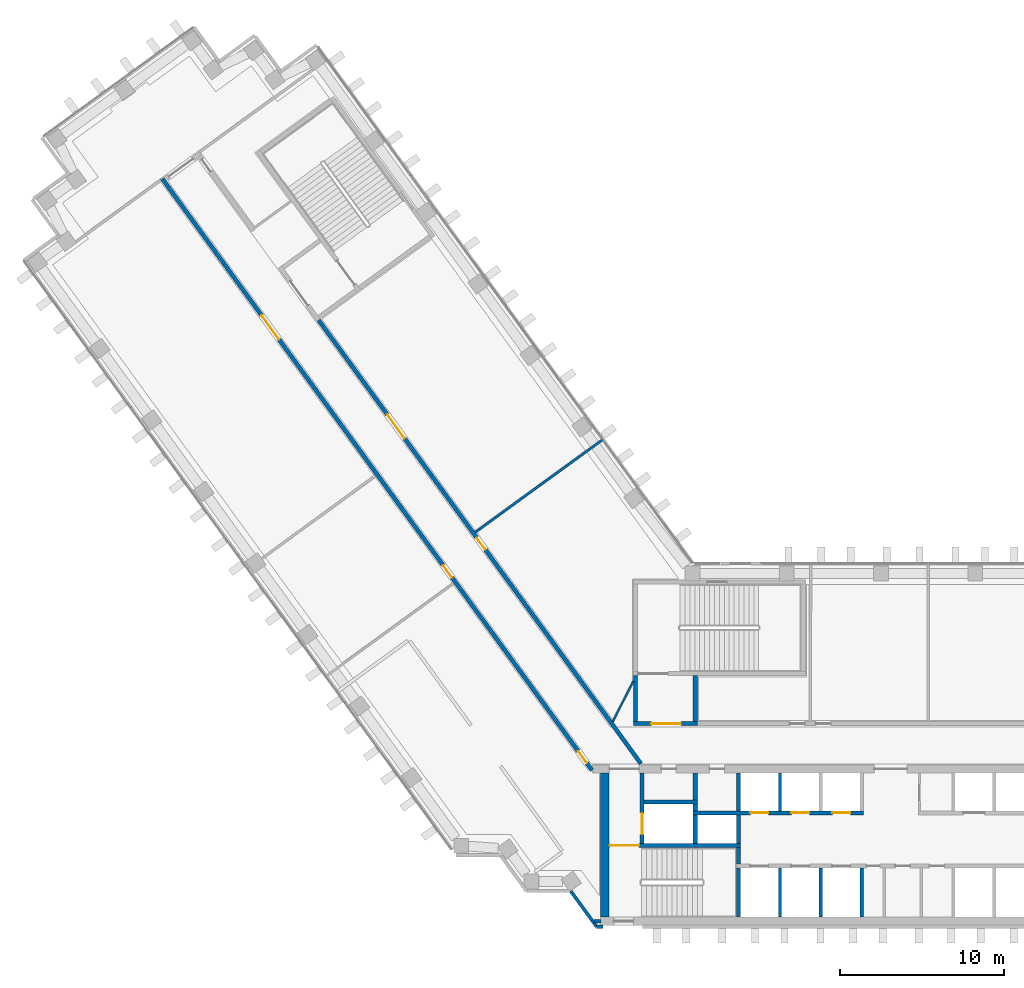
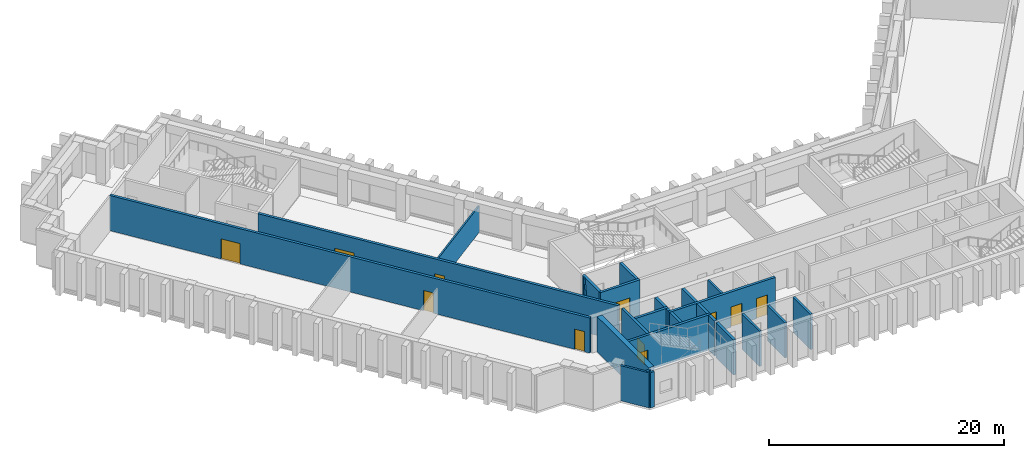
# One storey, part 5 of 13: 26 walls, 11 doors, 11 openings.
"""IFC4 building model written with IfcOpenShell, lengths in metres."""

from ifc_helpers import new_model, si_unit, direction, frame, frame_2d, origin, place, context, subcontext, project, spatial, rectangle, extrude, material, layer, layer_set, type_object, element, fill, save


model = new_model("IFC4")

# Units and contexts
model_context = context("Model", 3, precision=1e-05, world=origin(), true_north=direction((0.0, 1.0)))
body_context = subcontext(model_context, "Body", "Model", "MODEL_VIEW")
ifc_project = project(units=[si_unit("LENGTHUNIT", "METRE"), si_unit("AREAUNIT", "SQUARE_METRE"), si_unit("VOLUMEUNIT", "CUBIC_METRE"), si_unit("PLANEANGLEUNIT", "RADIAN"), si_unit("MASSUNIT", "GRAM", prefix="KILO")], contexts=[model_context])

# Site, building, storey
site_placement = place(None, origin())
site = spatial("IfcSite", under=ifc_project, at=site_placement, CompositionType="ELEMENT")
building_placement = place(site_placement, origin())
building = spatial("IfcBuilding", under=site, at=building_placement, Name="Quipu Civic Tower", CompositionType="ELEMENT")
storey_placement = place(building_placement, frame((0.0, 0.0, 67.0)))
storey = spatial("IfcBuildingStorey", under=building, at=storey_placement, Name="L15", CompositionType="ELEMENT", Elevation=67.0)

# Walls
ifc_material_1 = material(Name="Double gypsum plasterboard with mineral wool")
ifc_layer_1 = layer(ifc_material_1, 0.14990234375)
ifc_layer_set_1 = layer_set([ifc_layer_1], Name="Double gypsum plasterboard with mineral wool")
wall_type_1 = type_object("IfcWallType", Name="Acoustic partition 150 plasterboard", PredefinedType="PARTITIONING", material=ifc_layer_set_1)
wall_1_placement = place(storey_placement, frame((-19.856689453125, 18.688720703125, 0.0), z_axis=(0.0, 0.0, 1.0), x_axis=(-0.809002920164, -0.587804623294, 0.0)))
element("IfcWall", 1, at=wall_1_placement, inside=storey, type_object=wall_type_1, Name="Partition P08", PredefinedType="PARTITIONING", context=body_context, shape_type="SweptSolid", body=[
    extrude(rectangle(XDim=9.65087890625, YDim=0.14990234375, at=frame_2d((4.825439453125, 0.0))), origin(), (0.0, 0.0, 1.0), 2.75),
])
ifc_material_2 = material(Name="Concrete C70/85", Category="concrete")
ifc_layer_2 = layer(ifc_material_2, 0.25)
ifc_layer_set_2 = layer_set([ifc_layer_2], Name="Concrete C70/85")
wall_type_2 = type_object("IfcWallType", Name="Core wall 250", PredefinedType="SHEAR", material=ifc_layer_set_2)
wall_2_placement = place(storey_placement, frame((-11.574951171875, -10.5, 0.0), z_axis=(0.0, 0.0, 1.0), x_axis=(0.0, 1.0, 0.0)))
element("IfcWall", 2, at=wall_2_placement, inside=storey, type_object=wall_type_2, Name="Core wall", PredefinedType="SHEAR", context=body_context, shape_type="SweptSolid", body=[
    extrude(rectangle(XDim=3.0, YDim=0.25, at=frame_2d((1.5, 0.0))), origin(), (0.0, 0.0, 1.0), 3.64990234375),
])
wall_3_placement = place(storey_placement, frame((-11.574951171875, -7.25, 0.0), z_axis=(0.0, 0.0, 1.0), x_axis=(0.0, 1.0, 0.0)))
element("IfcWall", 3, at=wall_3_placement, inside=storey, type_object=wall_type_2, Name="Core wall", PredefinedType="SHEAR", context=body_context, shape_type="SweptSolid", body=[
    extrude(rectangle(XDim=1.0, YDim=0.25, at=frame_2d((0.5, 0.0))), origin(), (0.0, 0.0, 1.0), 3.64990234375),
])

# Wall, opening, door
wall_4_placement = place(storey_placement, frame((-11.449951171875, -6.125, 0.0), z_axis=(0.0, 0.0, 1.0), x_axis=(-1.0, 0.0, 0.0)))
wall_4 = element("IfcWall", 4, at=wall_4_placement, inside=storey, type_object=wall_type_2, Name="Core wall", PredefinedType="SHEAR", context=body_context, shape_type="SweptSolid", body=[
    extrude(rectangle(XDim=8.050048828125, YDim=0.25, at=frame_2d((4.02490234375, 0.0))), origin(), (0.0, 0.0, 1.0), 3.64990234375),
])
opening_1_placement = place(wall_4_placement, frame((6.199951171875, 0.0, 0.0)))
opening_1 = element("IfcOpeningElement", 5, at=opening_1_placement, cuts=wall_4, Name="Opening CD-04", PredefinedType="OPENING", context=body_context, shape_type="SweptSolid", body=[
    extrude(rectangle(XDim=1.800048828125, YDim=2.10009765625, at=frame_2d((0.89990234375, 1.050048828125))), frame((0.0, 0.135009765625, 0.0), z_axis=(0.0, -1.0, 0.0), x_axis=(1.0, 0.0, 0.0)), (0.0, 0.0, 1.0), 0.27001953125),
])
ifc_material_3 = material(Name="Fire rated steel door", Category="steel")
door_type_1 = type_object("IfcDoorType", Name="Fire door FD90 double 1800 x 2100", OperationType="NOTDEFINED", PredefinedType="DOOR", material=ifc_material_3)
door_1_placement = place(opening_1_placement, origin())
door_1 = element("IfcDoor", 6, at=door_1_placement, inside=storey, type_object=door_type_1, Name="Door", OperationType="DOUBLE_DOOR_SINGLE_SWING", OverallHeight=2.10009765625, OverallWidth=1.800048828125, PredefinedType="DOOR", context=body_context, shape_type="SweptSolid", body=[
    extrude(rectangle(XDim=1.800048828125, YDim=2.10009765625, at=frame_2d((0.89990234375, 1.050048828125))), frame((0.0, 0.02490234375, 0.0), z_axis=(0.0, -1.0, 0.0), x_axis=(1.0, 0.0, 0.0)), (0.0, 0.0, 1.0), 0.050048828125),
])
fill(opening_1, door_1)

wall_5_placement = place(storey_placement, frame((-17.47509765625, -6.0, 0.0), z_axis=(0.0, 0.0, 1.0), x_axis=(0.0, 1.0, 0.0)))
wall_5 = element("IfcWall", 7, at=wall_5_placement, inside=storey, type_object=wall_type_2, Name="Core wall", PredefinedType="SHEAR", context=body_context, shape_type="SweptSolid", body=[
    extrude(rectangle(XDim=4.300048828125, YDim=0.25, at=frame_2d((2.14990234375, 0.0))), origin(), (0.0, 0.0, 1.0), 3.64990234375),
])
opening_2_placement = place(wall_5_placement, frame((0.550048828125, 0.0, 0.0)))
opening_2 = element("IfcOpeningElement", 8, at=opening_2_placement, cuts=wall_5, Name="Opening LD-FF1", PredefinedType="OPENING", context=body_context, shape_type="SweptSolid", body=[
    extrude(rectangle(XDim=1.300048828125, YDim=2.10009765625, at=frame_2d((0.64990234375, 1.050048828125))), frame((0.0, 0.135009765625, 0.0), z_axis=(0.0, -1.0, 0.0), x_axis=(1.0, 0.0, 0.0)), (0.0, 0.0, 1.0), 0.27001953125),
])
ifc_material_4 = material(Name="Stainless steel", Category="steel")
door_type_2 = type_object("IfcDoorType", Name="Lift landing door 1300 x 2100", OperationType="DOUBLE_DOOR_SLIDING", PredefinedType="DOOR", material=ifc_material_4)
door_2_placement = place(opening_2_placement, origin())
door_2 = element("IfcDoor", 9, at=door_2_placement, inside=storey, type_object=door_type_2, Name="Landing door FF1", OperationType="DOUBLE_DOOR_SLIDING", OverallHeight=2.10009765625, OverallWidth=1.300048828125, PredefinedType="DOOR", context=body_context, shape_type="SweptSolid", body=[
    extrude(rectangle(XDim=1.300048828125, YDim=2.10009765625, at=frame_2d((0.64990234375, 1.050048828125))), frame((0.0, 0.02490234375, 0.0), z_axis=(0.0, -1.0, 0.0), x_axis=(1.0, 0.0, 0.0)), (0.0, 0.0, 1.0), 0.050048828125),
])
fill(opening_2, door_2)

# Walls
for number, where, z_axis, x_axis, name in (
    (10, (-14.22509765625, -6.0, 0.0), (0.0, 0.0, 1.0), (0.0, 1.0, 0.0), "Core wall"),
    (11, (-11.574951171875, -6.0, 0.0), (0.0, 0.0, 1.0), (0.0, 1.0, 0.0), "Core wall"),
):
    element("IfcWall", number, at=place(storey_placement, frame(where, z_axis=z_axis, x_axis=x_axis)), inside=storey, type_object=wall_type_2, Name=name, PredefinedType="SHEAR", context=body_context, shape_type="SweptSolid", body=[
        extrude(rectangle(XDim=1.75, YDim=0.25, at=frame_2d((0.875, 0.0))), origin(), (0.0, 0.0, 1.0), 3.64990234375),
    ])

# Wall, openings, doors
wall_6_placement = place(storey_placement, frame((-14.35009765625, -4.125, 0.0), z_axis=(0.0, 0.0, 1.0), x_axis=(1.0, 0.0, 0.0)))
wall_6 = element("IfcWall", 12, at=wall_6_placement, inside=storey, type_object=wall_type_2, Name="Core wall", PredefinedType="SHEAR", context=body_context, shape_type="SweptSolid", body=[
    extrude(rectangle(XDim=10.400146484375, YDim=0.25, at=frame_2d((5.2001953125, 0.0))), origin(), (0.0, 0.0, 1.0), 3.64990234375),
])
opening_3_placement = place(wall_6_placement, frame((3.5, 0.0, 0.0)))
opening_3 = element("IfcOpeningElement", 13, at=opening_3_placement, cuts=wall_6, Name="Opening LD-LL4", PredefinedType="OPENING", context=body_context, shape_type="SweptSolid", body=[
    extrude(rectangle(XDim=1.10009765625, YDim=2.10009765625, at=frame_2d((0.550048828125, 1.050048828125))), frame((0.0, 0.135009765625, 0.0), z_axis=(0.0, -1.0, 0.0), x_axis=(1.0, 0.0, 0.0)), (0.0, 0.0, 1.0), 0.27001953125),
])
opening_4_placement = place(wall_6_placement, frame((6.0, 0.0, 0.0)))
opening_4 = element("IfcOpeningElement", 14, at=opening_4_placement, cuts=wall_6, Name="Opening LD-LL5", PredefinedType="OPENING", context=body_context, shape_type="SweptSolid", body=[
    extrude(rectangle(XDim=1.10009765625, YDim=2.10009765625, at=frame_2d((0.550048828125, 1.050048828125))), frame((0.0, 0.135009765625, 0.0), z_axis=(0.0, -1.0, 0.0), x_axis=(1.0, 0.0, 0.0)), (0.0, 0.0, 1.0), 0.27001953125),
])
opening_5_placement = place(wall_6_placement, frame((8.5, 0.0, 0.0)))
opening_5 = element("IfcOpeningElement", 15, at=opening_5_placement, cuts=wall_6, Name="Opening LD-LL6", PredefinedType="OPENING", context=body_context, shape_type="SweptSolid", body=[
    extrude(rectangle(XDim=1.10009765625, YDim=2.10009765625, at=frame_2d((0.550048828125, 1.050048828125))), frame((0.0, 0.135009765625, 0.0), z_axis=(0.0, -1.0, 0.0), x_axis=(1.0, 0.0, 0.0)), (0.0, 0.0, 1.0), 0.27001953125),
])
ifc_material_5 = material(Name="Stainless steel", Category="steel")
door_type_3 = type_object("IfcDoorType", Name="Lift landing door 1100 x 2100", OperationType="DOUBLE_DOOR_SLIDING", PredefinedType="DOOR", material=ifc_material_5)
door_3_placement = place(opening_3_placement, origin())
door_3 = element("IfcDoor", 16, at=door_3_placement, inside=storey, type_object=door_type_3, Name="Landing door LL4", OperationType="DOUBLE_DOOR_SLIDING", OverallHeight=2.10009765625, OverallWidth=1.10009765625, PredefinedType="DOOR", context=body_context, shape_type="SweptSolid", body=[
    extrude(rectangle(XDim=1.10009765625, YDim=2.10009765625, at=frame_2d((0.550048828125, 1.050048828125))), frame((0.0, 0.02490234375, 0.0), z_axis=(0.0, -1.0, 0.0), x_axis=(1.0, 0.0, 0.0)), (0.0, 0.0, 1.0), 0.050048828125),
])
fill(opening_3, door_3)
door_4_placement = place(opening_4_placement, origin())
door_4 = element("IfcDoor", 17, at=door_4_placement, inside=storey, type_object=door_type_3, Name="Landing door LL5", OperationType="DOUBLE_DOOR_SLIDING", OverallHeight=2.10009765625, OverallWidth=1.10009765625, PredefinedType="DOOR", context=body_context, shape_type="SweptSolid", body=[
    extrude(rectangle(XDim=1.10009765625, YDim=2.10009765625, at=frame_2d((0.550048828125, 1.050048828125))), frame((0.0, 0.02490234375, 0.0), z_axis=(0.0, -1.0, 0.0), x_axis=(1.0, 0.0, 0.0)), (0.0, 0.0, 1.0), 0.050048828125),
])
fill(opening_4, door_4)
door_5_placement = place(opening_5_placement, origin())
door_5 = element("IfcDoor", 18, at=door_5_placement, inside=storey, type_object=door_type_3, Name="Landing door LL6", OperationType="DOUBLE_DOOR_SLIDING", OverallHeight=2.10009765625, OverallWidth=1.10009765625, PredefinedType="DOOR", context=body_context, shape_type="SweptSolid", body=[
    extrude(rectangle(XDim=1.10009765625, YDim=2.10009765625, at=frame_2d((0.550048828125, 1.050048828125))), frame((0.0, 0.02490234375, 0.0), z_axis=(0.0, -1.0, 0.0), x_axis=(1.0, 0.0, 0.0)), (0.0, 0.0, 1.0), 0.050048828125),
])
fill(opening_5, door_5)

# Walls
wall_7_placement = place(storey_placement, frame((-14.22509765625, -4.0, 0.0), z_axis=(0.0, 0.0, 1.0), x_axis=(0.0, 1.0, 0.0)))
element("IfcWall", 19, at=wall_7_placement, inside=storey, type_object=wall_type_2, Name="Core wall", PredefinedType="SHEAR", context=body_context, shape_type="SweptSolid", body=[
    extrude(rectangle(XDim=0.39990234375, YDim=0.25, at=frame_2d((0.199951171875, 0.0))), origin(), (0.0, 0.0, 1.0), 3.64990234375),
])
wall_8_placement = place(storey_placement, frame((-11.574951171875, -4.0, 0.0), z_axis=(0.0, 0.0, 1.0), x_axis=(0.0, 1.0, 0.0)))
element("IfcWall", 20, at=wall_8_placement, inside=storey, type_object=wall_type_2, Name="Core wall", PredefinedType="SHEAR", context=body_context, shape_type="SweptSolid", body=[
    extrude(rectangle(XDim=2.300048828125, YDim=0.25, at=frame_2d((1.14990234375, 0.0))), origin(), (0.0, 0.0, 1.0), 3.64990234375),
])
wall_9_placement = place(storey_placement, frame((-17.35009765625, -3.47509765625, 0.0), z_axis=(0.0, 0.0, 1.0), x_axis=(1.0, 0.0, 0.0)))
element("IfcWall", 21, at=wall_9_placement, inside=storey, type_object=wall_type_2, Name="Core wall", PredefinedType="SHEAR", context=body_context, shape_type="SweptSolid", body=[
    extrude(rectangle(XDim=3.25, YDim=0.25, at=frame_2d((1.625, 0.0))), origin(), (0.0, 0.0, 1.0), 3.64990234375),
])
wall_10_placement = place(storey_placement, frame((-14.22509765625, -3.35009765625, 0.0), z_axis=(0.0, 0.0, 1.0), x_axis=(0.0, 1.0, 0.0)))
element("IfcWall", 22, at=wall_10_placement, inside=storey, type_object=wall_type_2, Name="Core wall", PredefinedType="SHEAR", context=body_context, shape_type="SweptSolid", body=[
    extrude(rectangle(XDim=1.650146484375, YDim=0.25, at=frame_2d((0.8251953125, 0.0))), origin(), (0.0, 0.0, 1.0), 3.64990234375),
])

# Wall, opening, door
wall_11_placement = place(storey_placement, frame((-18.0, 1.324951171875, 0.0), z_axis=(0.0, 0.0, 1.0), x_axis=(1.0, 0.0, 0.0)))
wall_11 = element("IfcWall", 23, at=wall_11_placement, inside=storey, type_object=wall_type_2, Name="Core wall", PredefinedType="SHEAR", context=body_context, shape_type="SweptSolid", body=[
    extrude(rectangle(XDim=3.89990234375, YDim=0.25, at=frame_2d((1.949951171875, 0.0))), origin(), (0.0, 0.0, 1.0), 3.64990234375),
])
opening_6_placement = place(wall_11_placement, frame((1.10009765625, 0.0, 0.0)))
opening_6 = element("IfcOpeningElement", 24, at=opening_6_placement, cuts=wall_11, Name="Opening CD-15", PredefinedType="OPENING", context=body_context, shape_type="SweptSolid", body=[
    extrude(rectangle(XDim=1.800048828125, YDim=2.10009765625, at=frame_2d((0.89990234375, 1.050048828125))), frame((0.0, 0.135009765625, 0.0), z_axis=(0.0, -1.0, 0.0), x_axis=(1.0, 0.0, 0.0)), (0.0, 0.0, 1.0), 0.27001953125),
])
door_6_placement = place(opening_6_placement, origin())
door_6 = element("IfcDoor", 25, at=door_6_placement, inside=storey, type_object=door_type_1, Name="Lobby door", OperationType="DOUBLE_DOOR_SINGLE_SWING", OverallHeight=2.10009765625, OverallWidth=1.800048828125, PredefinedType="DOOR", context=body_context, shape_type="SweptSolid", body=[
    extrude(rectangle(XDim=1.800048828125, YDim=2.10009765625, at=frame_2d((0.89990234375, 1.050048828125))), frame((0.0, 0.02490234375, 0.0), z_axis=(0.0, -1.0, 0.0), x_axis=(1.0, 0.0, 0.0)), (0.0, 0.0, 1.0), 0.050048828125),
])
fill(opening_6, door_6)

# Walls
for number, where, z_axis, x_axis, name in (
    (26, (-17.875, 1.449951171875, 0.0), (0.0, 0.0, 1.0), (0.0, 1.0, 0.0), "Core wall"),
    (27, (-14.22509765625, 1.449951171875, 0.0), (0.0, 0.0, 1.0), (0.0, 1.0, 0.0), "Core wall"),
):
    element("IfcWall", number, at=place(storey_placement, frame(where, z_axis=z_axis, x_axis=x_axis)), inside=storey, type_object=wall_type_2, Name=name, PredefinedType="SHEAR", context=body_context, shape_type="SweptSolid", body=[
        extrude(rectangle(XDim=2.800048828125, YDim=0.25, at=frame_2d((1.39990234375, 0.0))), origin(), (0.0, 0.0, 1.0), 3.64990234375),
    ])
ifc_material_6 = material(Name="Concrete C70/85", Category="concrete")
ifc_layer_3 = layer(ifc_material_6, 0.5)
ifc_layer_set_3 = layer_set([ifc_layer_3], Name="Concrete C70/85")
wall_type_3 = type_object("IfcWallType", Name="Core wall 500", PredefinedType="SHEAR", material=ifc_layer_set_3)
wall_12_placement = place(storey_placement, frame((-19.75, -10.5, 0.0), z_axis=(0.0, 0.0, 1.0), x_axis=(0.0, 1.0, 0.0)))
element("IfcWall", 28, at=wall_12_placement, inside=storey, type_object=wall_type_3, Name="Core wall", PredefinedType="SHEAR", context=body_context, shape_type="SweptSolid", body=[
    extrude(rectangle(XDim=8.800048828125, YDim=0.5, at=frame_2d((4.39990234375, 0.0))), origin(), (0.0, 0.0, 1.0), 3.64990234375),
])

# Wall, openings, doors
ifc_material_7 = material(Name="Concrete C50/60", Category="concrete")
ifc_layer_4 = layer(ifc_material_7, 0.25)
ifc_layer_set_4 = layer_set([ifc_layer_4], Name="Concrete C50/60")
wall_type_4 = type_object("IfcWallType", Name="Corridor wall 250 concrete", PredefinedType="SOLIDWALL", material=ifc_layer_set_4)
wall_13_placement = place(storey_placement, frame((-20.531005859375, -1.5234375, 0.0), z_axis=(0.0, 0.0, 1.0), x_axis=(-0.587784593204, 0.809017473231, 0.0)))
wall_13 = element("IfcWall", 29, at=wall_13_placement, inside=storey, type_object=wall_type_4, Name="Corridor wall C01", PredefinedType="SOLIDWALL", context=body_context, shape_type="SweptSolid", body=[
    extrude(rectangle(XDim=44.67041015625, YDim=0.25, at=frame_2d((22.335205078125, 0.0))), origin(), (0.0, 0.0, 1.0), 3.64990234375),
])
opening_7_placement = place(wall_13_placement, frame((0.53271484375, 0.0, 0.0)))
opening_7 = element("IfcOpeningElement", 30, at=opening_7_placement, cuts=wall_13, Name="Opening D020", PredefinedType="OPENING", context=body_context, shape_type="SweptSolid", body=[
    extrude(rectangle(XDim=0.89990234375, YDim=2.10009765625, at=frame_2d((0.449951171875, 1.050048828125))), frame((0.0, 0.135009765625, 0.0), z_axis=(0.0, -1.0, 0.0), x_axis=(1.0, 0.0, 0.0)), (0.0, 0.0, 1.0), 0.27001953125),
])
opening_8_placement = place(wall_13_placement, frame((32.530517578125, 0.0, 0.0)))
opening_8 = element("IfcOpeningElement", 31, at=opening_8_placement, cuts=wall_13, Name="Opening D018", PredefinedType="OPENING", context=body_context, shape_type="SweptSolid", body=[
    extrude(rectangle(XDim=1.800048828125, YDim=2.10009765625, at=frame_2d((0.89990234375, 1.050048828125))), frame((0.0, 0.135009765625, 0.0), z_axis=(0.0, -1.0, 0.0), x_axis=(1.0, 0.0, 0.0)), (0.0, 0.0, 1.0), 0.27001953125),
])
opening_9_placement = place(wall_13_placement, frame((14.565673828125, 0.0, 0.0)))
opening_9 = element("IfcOpeningElement", 32, at=opening_9_placement, cuts=wall_13, Name="Opening D019", PredefinedType="OPENING", context=body_context, shape_type="SweptSolid", body=[
    extrude(rectangle(XDim=0.89990234375, YDim=2.10009765625, at=frame_2d((0.449951171875, 1.050048828125))), frame((0.0, 0.135009765625, 0.0), z_axis=(0.0, -1.0, 0.0), x_axis=(1.0, 0.0, 0.0)), (0.0, 0.0, 1.0), 0.27001953125),
])
ifc_material_8 = material(Name="Fire rated timber door set with metal frame", Category="wood")
door_type_4 = type_object("IfcDoorType", Name="Double door 1800 x 2100 FD60", OperationType="DOUBLE_DOOR_SINGLE_SWING", PredefinedType="DOOR", material=ifc_material_8)
door_7_placement = place(opening_8_placement, origin())
door_7 = element("IfcDoor", 33, at=door_7_placement, inside=storey, type_object=door_type_4, Name="Door D018", OperationType="DOUBLE_DOOR_SINGLE_SWING", OverallHeight=2.10009765625, OverallWidth=1.800048828125, PredefinedType="DOOR", context=body_context, shape_type="SweptSolid", body=[
    extrude(rectangle(XDim=1.800048828125, YDim=2.10009765625, at=frame_2d((0.89990234375, 1.050048828125))), frame((0.0, 0.02490234375, 0.0), z_axis=(0.0, -1.0, 0.0), x_axis=(1.0, 0.0, 0.0)), (0.0, 0.0, 1.0), 0.050048828125),
])
fill(opening_8, door_7)
ifc_material_9 = material(Name="Fire rated timber door set with metal frame", Category="wood")
door_type_5 = type_object("IfcDoorType", Name="Single door 900 x 2100 FD60", OperationType="NOTDEFINED", PredefinedType="DOOR", material=ifc_material_9)
door_8_placement = place(opening_7_placement, origin())
door_8 = element("IfcDoor", 34, at=door_8_placement, inside=storey, type_object=door_type_5, Name="Door D020", OperationType="SINGLE_SWING_LEFT", OverallHeight=2.10009765625, OverallWidth=0.89990234375, PredefinedType="DOOR", context=body_context, shape_type="SweptSolid", body=[
    extrude(rectangle(XDim=0.89990234375, YDim=2.10009765625, at=frame_2d((0.449951171875, 1.050048828125))), frame((0.0, 0.02490234375, 0.0), z_axis=(0.0, -1.0, 0.0), x_axis=(1.0, 0.0, 0.0)), (0.0, 0.0, 1.0), 0.050048828125),
])
fill(opening_7, door_8)
door_9_placement = place(opening_9_placement, origin())
door_9 = element("IfcDoor", 35, at=door_9_placement, inside=storey, type_object=door_type_5, Name="Door D019", OperationType="SINGLE_SWING_LEFT", OverallHeight=2.10009765625, OverallWidth=0.89990234375, PredefinedType="DOOR", context=body_context, shape_type="SweptSolid", body=[
    extrude(rectangle(XDim=0.89990234375, YDim=2.10009765625, at=frame_2d((0.449951171875, 1.050048828125))), frame((0.0, 0.02490234375, 0.0), z_axis=(0.0, -1.0, 0.0), x_axis=(1.0, 0.0, 0.0)), (0.0, 0.0, 1.0), 0.050048828125),
])
fill(opening_9, door_9)

wall_14_placement = place(storey_placement, frame((-37.231689453125, 25.9716796875, 0.0), z_axis=(0.0, 0.0, 1.0), x_axis=(0.587786323093, -0.809016216391, 0.0)))
wall_14 = element("IfcWall", 36, at=wall_14_placement, inside=storey, type_object=wall_type_4, Name="Corridor wall C04", PredefinedType="SOLIDWALL", context=body_context, shape_type="SweptSolid", body=[
    extrude(rectangle(XDim=33.4931640625, YDim=0.25, at=frame_2d((16.74658203125, 0.0))), origin(), (0.0, 0.0, 1.0), 3.64990234375),
])
opening_10_placement = place(wall_14_placement, frame((16.434814453125, 0.0, 0.0)))
opening_10 = element("IfcOpeningElement", 37, at=opening_10_placement, cuts=wall_14, Name="Opening D017", PredefinedType="OPENING", context=body_context, shape_type="SweptSolid", body=[
    extrude(rectangle(XDim=0.89990234375, YDim=2.10009765625, at=frame_2d((0.449951171875, 1.050048828125))), frame((0.0, 0.135009765625, 0.0), z_axis=(0.0, -1.0, 0.0), x_axis=(1.0, 0.0, 0.0)), (0.0, 0.0, 1.0), 0.27001953125),
])
opening_11_placement = place(wall_14_placement, frame((7.13720703125, 0.0, 0.0)))
opening_11 = element("IfcOpeningElement", 38, at=opening_11_placement, cuts=wall_14, Name="Opening D016", PredefinedType="OPENING", context=body_context, shape_type="SweptSolid", body=[
    extrude(rectangle(XDim=1.800048828125, YDim=2.10009765625, at=frame_2d((0.89990234375, 1.050048828125))), frame((0.0, 0.135009765625, 0.0), z_axis=(0.0, -1.0, 0.0), x_axis=(1.0, 0.0, 0.0)), (0.0, 0.0, 1.0), 0.27001953125),
])
door_10_placement = place(opening_11_placement, origin())
door_10 = element("IfcDoor", 39, at=door_10_placement, inside=storey, type_object=door_type_4, Name="Door D016", OperationType="DOUBLE_DOOR_SINGLE_SWING", OverallHeight=2.10009765625, OverallWidth=1.800048828125, PredefinedType="DOOR", context=body_context, shape_type="SweptSolid", body=[
    extrude(rectangle(XDim=1.800048828125, YDim=2.10009765625, at=frame_2d((0.89990234375, 1.050048828125))), frame((0.0, 0.02490234375, 0.0), z_axis=(0.0, -1.0, 0.0), x_axis=(1.0, 0.0, 0.0)), (0.0, 0.0, 1.0), 0.050048828125),
])
fill(opening_11, door_10)
door_11_placement = place(opening_10_placement, origin())
door_11 = element("IfcDoor", 40, at=door_11_placement, inside=storey, type_object=door_type_5, Name="Door D017", OperationType="SINGLE_SWING_LEFT", OverallHeight=2.10009765625, OverallWidth=0.89990234375, PredefinedType="DOOR", context=body_context, shape_type="SweptSolid", body=[
    extrude(rectangle(XDim=0.89990234375, YDim=2.10009765625, at=frame_2d((0.449951171875, 1.050048828125))), frame((0.0, 0.02490234375, 0.0), z_axis=(0.0, -1.0, 0.0), x_axis=(1.0, 0.0, 0.0)), (0.0, 0.0, 1.0), 0.050048828125),
])
fill(opening_10, door_11)

# Walls
ifc_material_10 = material(Name="Gypsum plasterboard on light gauge framing")
ifc_layer_5 = layer(ifc_material_10, 0.1201171875)
ifc_layer_set_5 = layer_set([ifc_layer_5], Name="Gypsum plasterboard on light gauge framing")
wall_type_5 = type_object("IfcWallType", Name="Partition 120 plasterboard", PredefinedType="PARTITIONING", material=ifc_layer_set_5)
wall_15_placement = place(storey_placement, frame((-19.260986328125, 1.449951171875, 0.0), z_axis=(0.0, 0.0, 1.0), x_axis=(0.453950796792, 0.891026752736, 0.0)))
element("IfcWall", 41, at=wall_15_placement, inside=storey, type_object=wall_type_5, Name="Partition P17", PredefinedType="PARTITIONING", context=body_context, shape_type="SweptSolid", body=[
    extrude(rectangle(XDim=2.77783203125, YDim=0.1201171875, at=frame_2d((1.388916015625, 0.0))), origin(), (0.0, 0.0, 1.0), 3.64990234375),
])
ifc_material_11 = material(Name="Precast concrete C40/50", Category="concrete")
wall_type_6 = type_object("IfcWallType", Name="Precast cladding wall", PredefinedType="SOLIDWALL", material=ifc_material_11)
wall_16_placement = place(storey_placement, frame((-21.8330078125, -8.90869140625, 0.0), z_axis=(0.0, 0.0, 1.0), x_axis=(0.587766567315, -0.809030569476, 0.0)))
element("IfcWall", 42, at=wall_16_placement, inside=storey, type_object=wall_type_6, Name="Precast cladding wall L15 12", PredefinedType="SOLIDWALL", context=body_context, shape_type="SweptSolid", body=[
    extrude(rectangle(XDim=2.687744140625, YDim=0.199951171875, at=frame_2d((1.34375, 0.0))), origin(), (0.0, 0.0, 1.0), 3.64990234375),
])
wall_17_placement = place(storey_placement, frame((-20.255859375, -11.087890625, 0.0), z_axis=(0.0, 0.0, 1.0), x_axis=(1.0, 0.0, 0.0)))
element("IfcWall", 43, at=wall_17_placement, inside=storey, type_object=wall_type_6, Name="Precast cladding wall L15 13", PredefinedType="SOLIDWALL", context=body_context, shape_type="SweptSolid", body=[
    extrude(rectangle(XDim=0.40576171875, YDim=0.199951171875, at=frame_2d((0.202880859375, 0.0))), origin(), (0.0, 0.0, 1.0), 3.64990234375),
])
wall_18_placement = place(storey_placement, frame((-19.97998046875, -10.75, 0.0), z_axis=(0.0, 0.0, 1.0), x_axis=(-1.0, 0.0, 0.0)))
element("IfcWall", 44, at=wall_18_placement, inside=storey, type_object=wall_type_6, Name="Precast cladding return L15 W", PredefinedType="SOLIDWALL", context=body_context, shape_type="SweptSolid", body=[
    extrude(rectangle(XDim=0.41650390625, YDim=0.199951171875, at=frame_2d((0.208251953125, 0.0))), origin(), (0.0, 0.0, 1.0), 3.64990234375),
])
ifc_material_12 = material(Name="Concrete C40/50", Category="concrete")
ifc_layer_6 = layer(ifc_material_12, 0.199951171875)
ifc_layer_set_6 = layer_set([ifc_layer_6], Name="Concrete C40/50")
wall_type_7 = type_object("IfcWallType", Name="Shaft wall 200", PredefinedType="SOLIDWALL", material=ifc_layer_set_6)
for number, where, z_axis, x_axis, name in (
    (45, (-9.050048828125, -10.5, 0.0), (0.0, 0.0, 1.0), (0.0, 1.0, 0.0), "Shaft wall"),
    (46, (-6.550048828125, -10.5, 0.0), (0.0, 0.0, 1.0), (0.0, 1.0, 0.0), "Shaft wall"),
    (47, (-4.050048828125, -10.5, 0.0), (0.0, 0.0, 1.0), (0.0, 1.0, 0.0), "Shaft wall"),
):
    element("IfcWall", number, at=place(storey_placement, frame(where, z_axis=z_axis, x_axis=x_axis)), inside=storey, type_object=wall_type_7, Name=name, PredefinedType="SOLIDWALL", context=body_context, shape_type="SweptSolid", body=[
        extrude(rectangle(XDim=3.0, YDim=0.199951171875, at=frame_2d((1.5, 0.0))), origin(), (0.0, 0.0, 1.0), 3.64990234375),
    ])
wall_19_placement = place(storey_placement, frame((-9.050048828125, -4.0, 0.0), z_axis=(0.0, 0.0, 1.0), x_axis=(0.0, 1.0, 0.0)))
element("IfcWall", 48, at=wall_19_placement, inside=storey, type_object=wall_type_7, Name="Shaft wall", PredefinedType="SOLIDWALL", context=body_context, shape_type="SweptSolid", body=[
    extrude(rectangle(XDim=2.300048828125, YDim=0.199951171875, at=frame_2d((1.14990234375, 0.0))), origin(), (0.0, 0.0, 1.0), 3.64990234375),
])

save(model, "model.ifc")
